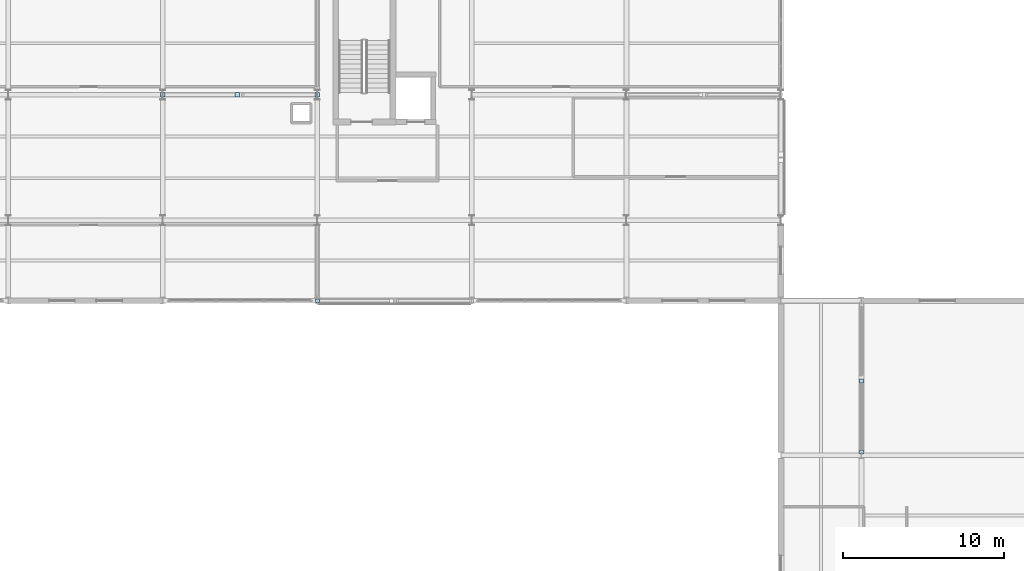
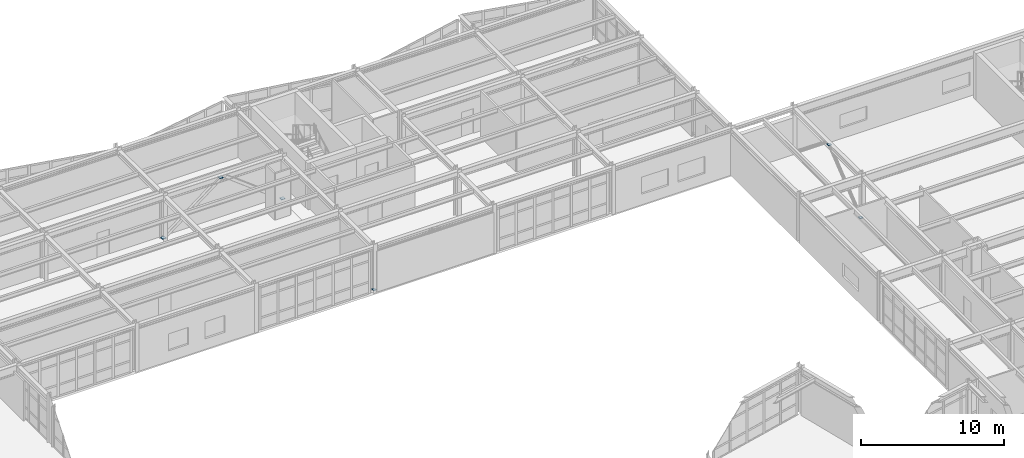
# One storey, part 75 of 99: 6 plates.
"""IFC4 building model written with IfcOpenShell, lengths in metres."""

from ifc_helpers import new_model, si_unit, direction, frame, origin, origin_2d, place, context, subcontext, project, spatial, rectangle, extrude, material, layer, layer_set, type_object, element, save


model = new_model("IFC4")

# Units and contexts
model_context = context("Model", 3, precision=1e-05, world=origin(), true_north=direction((0.0, 1.0)))
body_context = subcontext(model_context, "Body", "Model", "MODEL_VIEW")
ifc_project = project(units=[si_unit("LENGTHUNIT", "METRE"), si_unit("AREAUNIT", "SQUARE_METRE"), si_unit("VOLUMEUNIT", "CUBIC_METRE"), si_unit("PLANEANGLEUNIT", "RADIAN"), si_unit("MASSUNIT", "GRAM", prefix="KILO")], contexts=[model_context])

# Site, building, storey
site_placement = place(None, origin())
site = spatial("IfcSite", under=ifc_project, at=site_placement, CompositionType="ELEMENT")
building_placement = place(site_placement, origin())
building = spatial("IfcBuilding", under=site, at=building_placement, Name="Nordkorset Police Headquarters", CompositionType="ELEMENT")
storey_placement = place(building_placement, frame((0.0, 0.0, 5.25)))
storey = spatial("IfcBuildingStorey", under=building, at=storey_placement, Name="L01", CompositionType="ELEMENT", Elevation=5.25)

# Plates
ifc_material = material(Name="Steel S355J2", Category="steel")
ifc_layer = layer(ifc_material, 0.02001953125, Name="Steel S355J2")
ifc_layer_set = layer_set([ifc_layer], Name="Steel S355J2")
plate_type = type_object("IfcPlateType", Name="SteelPlate_20mm", PredefinedType="SHEET", material=ifc_layer_set)
for number, where, z_axis, x_axis, name in (
    (1, (48.0078125, 110.39990234375, 0.18994140625), (0.0, 0.0, 1.0), (1.0, 0.0, 0.0), "Hollow Section End Cap Plate BF-V2-A-L01-D1-0"),
    (2, (52.6201171875, 110.39990234375, 3.72998046875), (0.0, 0.0, 1.0), (1.0, 0.0, 0.0), "Hollow Section End Cap Plate BF-V2-A-L01-D1-1"),
    (3, (57.59228515625, 110.39990234375, 0.18994140625), (0.0, 0.0, 1.0), (1.0, 0.0, 0.0), "Hollow Section End Cap Plate BF-V2-A-L01-D2-0"),
):
    element("IfcPlate", number, at=place(storey_placement, frame(where, z_axis=z_axis, x_axis=x_axis)), inside=storey, type_object=plate_type, Name=name, PredefinedType="SHEET", context=body_context, shape_type="SweptSolid", body=[
        extrude(rectangle(XDim=0.2900390625, YDim=0.2900390625, at=origin_2d()), origin(), (0.0, 0.0, 1.0), 0.02001953125),
    ])
for number, where, z_axis, x_axis, name in (
    (4, (91.39990234375, 88.199951171875, 0.18994140625), (0.0, 0.0, 1.0), (1.0, 0.0, 0.0), "Hollow Section End Cap Plate BF-V5-A-L01-D1-0"),
    (5, (91.39990234375, 92.6201171875, 3.72998046875), (0.0, 0.0, 1.0), (1.0, 0.0, 0.0), "Hollow Section End Cap Plate BF-V5-A-L01-D1-1"),
):
    element("IfcPlate", number, at=place(storey_placement, frame(where, z_axis=z_axis, x_axis=x_axis)), inside=storey, type_object=plate_type, Name=name, PredefinedType="SHEET", context=body_context, shape_type="SweptSolid", body=[
        extrude(rectangle(XDim=0.259033203125, YDim=0.259033203125, at=origin_2d()), origin(), (0.0, 0.0, 1.0), 0.02001953125),
    ])
plate_placement = place(storey_placement, frame((57.606689453125, 97.60009765625, 0.18994140625), z_axis=(0.0, 0.0, 1.0), x_axis=(1.0, 0.0, 0.0)))
element("IfcPlate", 6, at=plate_placement, inside=storey, type_object=plate_type, Name="Hollow Section End Cap Plate BF-EXT-V2S-L01-D1-0", PredefinedType="SHEET", context=body_context, shape_type="SweptSolid", body=[
    extrude(rectangle(XDim=0.239990234375, YDim=0.239990234375, at=origin_2d()), origin(), (0.0, 0.0, 1.0), 0.02001953125),
])

save(model, "model.ifc")
